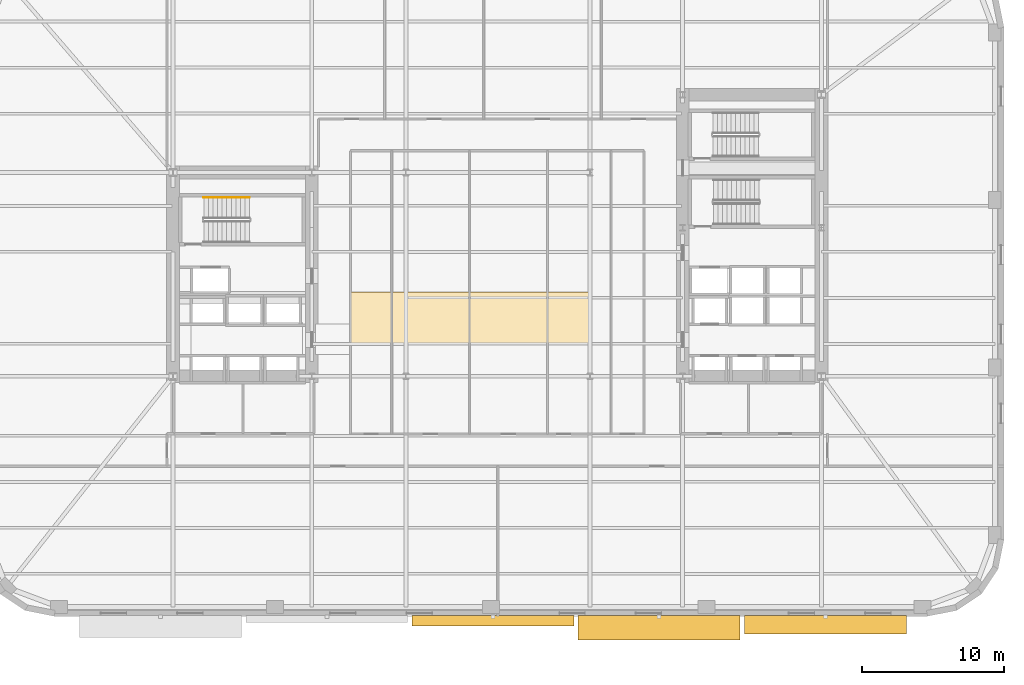
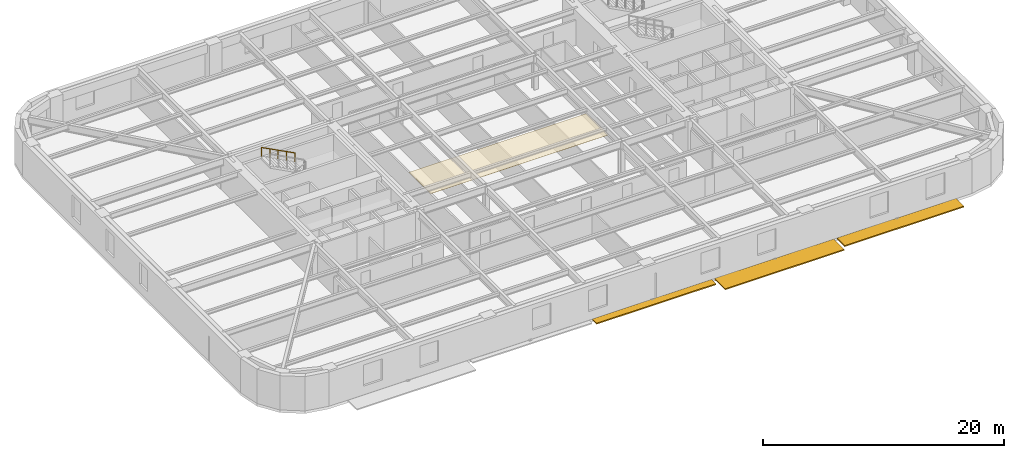
# One storey, part 10 of 14: 3 shading devices, 1 covering, 1 railing.
"""IFC4 building model written with IfcOpenShell, lengths in metres."""

from ifc_helpers import new_model, si_unit, direction, frame, origin, origin_2d, place, context, subcontext, project, spatial, polyline, rectangle, circle, outline, extrude, material, layer, layer_set, type_object, element, save


model = new_model("IFC4")

# Units and contexts
model_context = context("Model", 3, precision=1e-05, world=origin(), true_north=direction((0.0, 1.0)))
body_context = subcontext(model_context, "Body", "Model", "MODEL_VIEW")
ifc_project = project(units=[si_unit("LENGTHUNIT", "METRE"), si_unit("AREAUNIT", "SQUARE_METRE"), si_unit("VOLUMEUNIT", "CUBIC_METRE"), si_unit("PLANEANGLEUNIT", "RADIAN"), si_unit("MASSUNIT", "GRAM", prefix="KILO")], contexts=[model_context])

# Site, building, storey
site_placement = place(None, origin())
site = spatial("IfcSite", under=ifc_project, at=site_placement, CompositionType="ELEMENT")
building_placement = place(site_placement, origin())
building = spatial("IfcBuilding", under=site, at=building_placement, Name="Kolvaren Arena Tower", CompositionType="ELEMENT")
storey_placement = place(building_placement, frame((0.0, 0.0, 75.75)))
storey = spatial("IfcBuildingStorey", under=building, at=storey_placement, Name="L16", CompositionType="ELEMENT", Elevation=75.75)

# Covering
ifc_material_1 = material(Name="Mineral fibre acoustic ceiling tile", Category="gypsum")
ifc_layer = layer(ifc_material_1, 0.02490234375)
ifc_layer_set = layer_set([ifc_layer], Name="Mineral fibre acoustic ceiling tile")
covering_type = type_object("IfcCoveringType", Name="CEIL-ACT-1", PredefinedType="CEILING", material=ifc_layer_set)
covering_placement = place(storey_placement, frame((0.0, 0.0, 2.52001953125)))
element("IfcCovering", 1, at=covering_placement, inside=storey, type_object=covering_type, Name="Suspended Ceiling (L16)", PredefinedType="CEILING", context=body_context, shape_type="SweptSolid", body=[
    extrude(outline(polyline([(27.050048828125, 21.800048828125), (27.050048828125, 25.39990234375), (44.10009765625, 25.39990234375), (44.10009765625, 21.800048828125), (27.050048828125, 21.800048828125)])), origin(), (0.0, 0.0, 1.0), 0.02490234375),
])

# Railing
ifc_material_2 = material(Name="Brushed stainless steel handrail", Category="steel")
railing_type = type_object("IfcRailingType", Name="HRAIL-900", PredefinedType="HANDRAIL", material=ifc_material_2)
railing_placement = place(storey_placement, frame((19.9599609375, 32.080078125, 2.04541015625)))
element("IfcRailing", 2, at=railing_placement, inside=storey, type_object=railing_type, Name="L16 ST-W1 stair handrail 2", PredefinedType="HANDRAIL", context=body_context, shape_type="SweptSolid", body=[
    extrude(circle(Radius=0.02392578125, at=origin_2d()), frame((0.0, 0.0, 0.8759765625), z_axis=(-0.884993431791, 0.0, 0.465603506952), x_axis=(0.0, -1.0, 0.0)), (0.0, 0.0, 1.0), 3.6611328125),
    extrude(circle(Radius=0.02099609375, at=origin_2d()), origin(), (0.0, 0.0, 1.0), 0.851806640625),
    extrude(circle(Radius=0.02099609375, at=origin_2d()), frame((-0.81005859375, 0.0, 0.42626953125)), (0.0, 0.0, 1.0), 0.851806640625),
    extrude(circle(Radius=0.02099609375, at=origin_2d()), frame((-1.6201171875, 0.0, 0.852294921875)), (0.0, 0.0, 1.0), 0.851806640625),
    extrude(circle(Radius=0.02099609375, at=origin_2d()), frame((-2.429931640625, 0.0, 1.2783203125)), (0.0, 0.0, 1.0), 0.851806640625),
    extrude(circle(Radius=0.02099609375, at=origin_2d()), frame((-3.239990234375, 0.0, 1.70458984375)), (0.0, 0.0, 1.0), 0.851806640625),
])

# Shading devices
ifc_material_3 = material(Name="Architectural precast GFRC and anodised aluminium sunshade", Category="concrete")
shading_device_type_1 = type_object("IfcShadingDeviceType", Name="SHAD-SINE-A", PredefinedType="USERDEFINED", material=ifc_material_3)
shading_device_1_placement = place(storey_placement, frame((37.14990234375, 2.189697265625, -0.14013671875), z_axis=(0.0, 0.0, 1.0), x_axis=(-1.0, 0.0, 0.0)))
element("IfcShadingDevice", 3, at=shading_device_1_placement, inside=storey, type_object=shading_device_type_1, Name="Sinusoidal Slab-Edge Sunshade Louvre (L16)", ObjectType="LOUVRE", PredefinedType="USERDEFINED", context=body_context, shape_type="SweptSolid", body=[
    extrude(rectangle(XDim=11.43994140625, YDim=0.720703125, at=origin_2d()), origin(), (0.0, 0.0, 1.0), 0.1201171875),
])
shading_device_type_2 = type_object("IfcShadingDeviceType", Name="SHAD-SINE-B", PredefinedType="JALOUSIE", material=ifc_material_3)
shading_device_2_placement = place(storey_placement, frame((60.6298828125, 1.9033203125, -0.14013671875), z_axis=(0.0, 0.0, 1.0), x_axis=(-1.0, 0.0, 0.0)))
element("IfcShadingDevice", 4, at=shading_device_2_placement, inside=storey, type_object=shading_device_type_2, Name="Sinusoidal Slab-Edge Sunshade Louvre (L16)", PredefinedType="JALOUSIE", context=body_context, shape_type="SweptSolid", body=[
    extrude(rectangle(XDim=11.43994140625, YDim=1.293701171875, at=origin_2d()), origin(), (0.0, 0.0, 1.0), 0.1201171875),
])
shading_device_3_placement = place(storey_placement, frame((48.889892578125, 1.6796875, -0.14013671875), z_axis=(0.0, 0.0, 1.0), x_axis=(-1.0, 0.0, 0.0)))
element("IfcShadingDevice", 5, at=shading_device_3_placement, inside=storey, type_object=shading_device_type_2, Name="Sinusoidal Slab-Edge Sunshade Louvre (L16)", PredefinedType="JALOUSIE", context=body_context, shape_type="SweptSolid", body=[
    extrude(rectangle(XDim=11.43994140625, YDim=1.740478515625, at=origin_2d()), origin(), (0.0, 0.0, 1.0), 0.1201171875),
])

save(model, "model.ifc")
